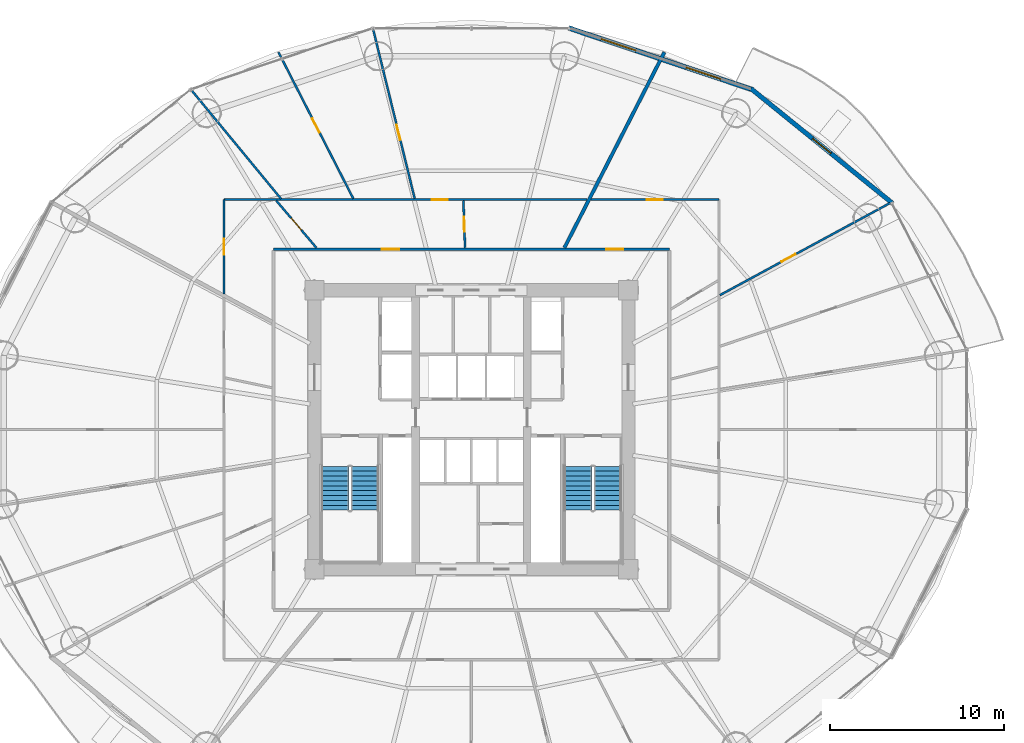
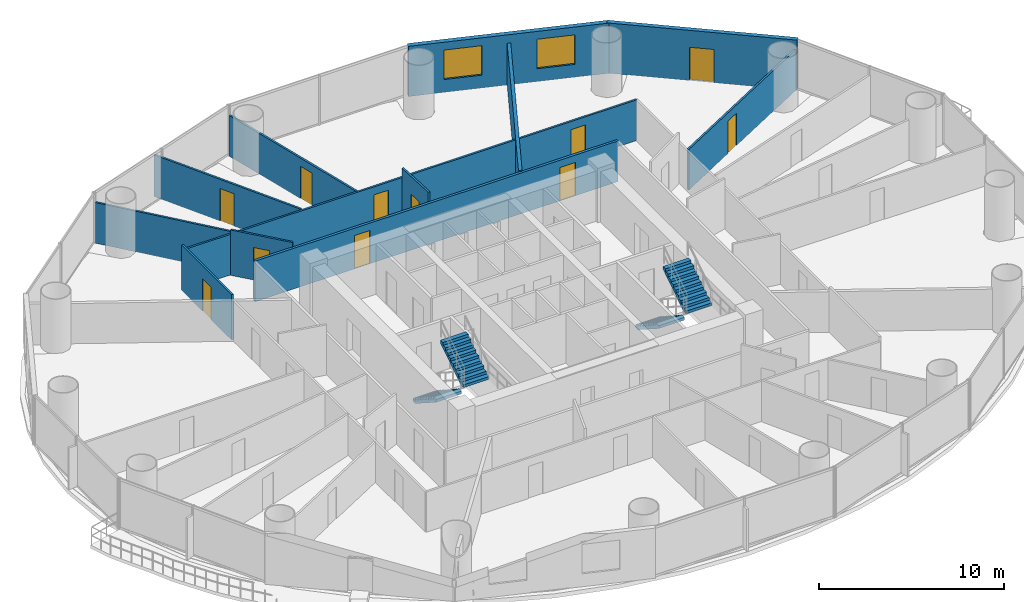
# One storey, part 25 of 29: 13 walls, 11 doors, 4 stair flights, 2 windows, 13 openings, 2 elements without a shape of their own.
"""IFC4 building model written with IfcOpenShell, lengths in metres."""

from ifc_helpers import new_model, si_unit, direction, frame, frame_2d, origin, place, context, subcontext, project, spatial, polyline, rectangle, outline, extrude, source, transform, mapped, material, layer, layer_set, type_object, element, fill, aggregate, save


model = new_model("IFC4")

# Units and contexts
model_context = context("Model", 3, precision=1e-05, world=origin(), true_north=direction((-0.2419218956, 0.970295726276)))
body_context = subcontext(model_context, "Body", "Model", "MODEL_VIEW")
ifc_project = project(units=[si_unit("LENGTHUNIT", "METRE"), si_unit("AREAUNIT", "SQUARE_METRE"), si_unit("VOLUMEUNIT", "CUBIC_METRE"), si_unit("PLANEANGLEUNIT", "RADIAN"), si_unit("MASSUNIT", "GRAM", prefix="KILO")], contexts=[model_context])

# Site, building, storey
site_placement = place(None, origin())
site = spatial("IfcSite", under=ifc_project, at=site_placement, CompositionType="ELEMENT")
building_placement = place(site_placement, origin())
building = spatial("IfcBuilding", under=site, at=building_placement, Name="Cobrevalo Terracotta Tower", CompositionType="ELEMENT")
storey_placement = place(building_placement, frame((0.0, 0.0, 49.199951171875)))
storey = spatial("IfcBuildingStorey", under=building, at=storey_placement, Name="L12", CompositionType="ELEMENT", Elevation=49.199951171875)

# Wall, openings, doors
ifc_material_1 = material(Name="Gypsum board on steel stud", Category="steel")
ifc_layer_1 = layer(ifc_material_1, 0.159912109375)
ifc_layer_set_1 = layer_set([ifc_layer_1], Name="Gypsum board on steel stud")
wall_type_1 = type_object("IfcWallType", Name="Fire-rated corridor acoustic partition wall 160 mm", PredefinedType="PARTITIONING", material=ifc_layer_set_1)
wall_1_placement = place(storey_placement, frame((26.64501953125, 37.155029296875, 0.0), z_axis=(0.0, 0.0, 1.0), x_axis=(1.0, 0.0, 0.0)))
wall_1 = element("IfcWall", 1, at=wall_1_placement, inside=storey, type_object=wall_type_1, Name="L12 interior partition IW-L12-COR-N", PredefinedType="PARTITIONING", context=body_context, shape_type="SweptSolid", body=[
    extrude(rectangle(XDim=22.7099609375, YDim=0.159912109375, at=frame_2d((11.35498046875, 0.0))), origin(), (0.0, 0.0, 1.0), 2.68798828125),
])
opening_1_placement = place(wall_1_placement, frame((19.075439453125, 0.0, 0.0)))
opening_1 = element("IfcOpeningElement", 2, at=opening_1_placement, cuts=wall_1, Name="Opening ID-05", PredefinedType="OPENING", context=body_context, shape_type="SweptSolid", body=[
    extrude(rectangle(XDim=0.97998046875, YDim=2.199951171875, at=frame_2d((0.489990234375, 1.10009765625))), frame((0.0, 0.08984375, 0.0), z_axis=(0.0, -1.0, 0.0), x_axis=(1.0, 0.0, 0.0)), (0.0, 0.0, 1.0), 0.179931640625),
])
opening_2_placement = place(wall_1_placement, frame((6.221435546875, 0.0, 0.0)))
opening_2 = element("IfcOpeningElement", 3, at=opening_2_placement, cuts=wall_1, Name="Opening ID-05", PredefinedType="OPENING", context=body_context, shape_type="SweptSolid", body=[
    extrude(rectangle(XDim=0.97998046875, YDim=2.199951171875, at=frame_2d((0.489990234375, 1.10009765625))), frame((0.0, 0.08984375, 0.0), z_axis=(0.0, -1.0, 0.0), x_axis=(1.0, 0.0, 0.0)), (0.0, 0.0, 1.0), 0.179931640625),
])
ifc_material_2 = material(Name="Solid hardwood timber", Category="wood")
door_type_1 = type_object("IfcDoorType", Name="Residence entrance fire-rated acoustic timber door 980x2200 EI 60", OperationType="NOTDEFINED", PredefinedType="DOOR", material=ifc_material_2)
shared_shape_1 = source(origin(), body_context, "Body", "SweptSolid", [
    extrude(rectangle(XDim=0.97998046875, YDim=2.199951171875, at=frame_2d((0.489990234375, 1.10009765625))), frame((0.0, 0.02490234375, 0.0), z_axis=(0.0, -1.0, 0.0), x_axis=(1.0, 0.0, 0.0)), (0.0, 0.0, 1.0), 0.050048828125),
])
door_1_placement = place(opening_1_placement, frame((0.97998046875, 0.0, 0.0), z_axis=(0.0, 0.0, 1.0), x_axis=(-1.0, 0.0, 0.0)))
door_1 = element("IfcDoor", 4, at=door_1_placement, inside=storey, type_object=door_type_1, Name="Flat L12A fire-rated apartment entrance door", OperationType="SINGLE_SWING_RIGHT", OverallHeight=2.199951171875, OverallWidth=0.97998046875, PredefinedType="DOOR", context=body_context, shape_type="MappedRepresentation", body=[
    mapped(shared_shape_1, transform((0.0, 0.0, 0.0), scale=1.0)),
])
fill(opening_1, door_1)
door_2_placement = place(opening_2_placement, origin())
door_2 = element("IfcDoor", 5, at=door_2_placement, inside=storey, type_object=door_type_1, Name="Flat L12B fire-rated apartment entrance door", OperationType="SINGLE_SWING_LEFT", OverallHeight=2.199951171875, OverallWidth=0.97998046875, PredefinedType="DOOR", context=body_context, shape_type="MappedRepresentation", body=[
    mapped(shared_shape_1, transform((0.0, 0.0, 0.0), scale=1.0)),
])
fill(opening_2, door_2)

# Wall
ifc_material_3 = material(Name="Autoclaved aerated concrete block", Category="concrete")
ifc_layer_2 = layer(ifc_material_3, 0.199951171875)
ifc_layer_set_2 = layer_set([ifc_layer_2], Name="Autoclaved aerated concrete block")
wall_type_2 = type_object("IfcWallType", Name="Fire-rated stair, shaft & demising masonry wall 200 mm", PredefinedType="PARTITIONING", material=ifc_layer_set_2)
wall_2_placement = place(storey_placement, frame((43.334716796875, 37.23681640625, 0.0), z_axis=(0.0, 0.0, 1.0), x_axis=(0.455148959499, 0.890415310216, 0.0)))
element("IfcWall", 6, at=wall_2_placement, inside=storey, type_object=wall_type_2, Name="L12 interior partition IW-L12-DEM-2", PredefinedType="PARTITIONING", context=body_context, shape_type="SweptSolid", body=[
    extrude(rectangle(XDim=12.598388671875, YDim=0.199951171875, at=frame_2d((6.29931640625, 0.0))), origin(), (0.0, 0.0, 1.0), 2.761962890625),
])

# Wall, openings, windows
ifc_layer_3 = layer(ifc_material_3, 0.280029296875)
ifc_layer_set_3 = layer_set([ifc_layer_3], Name="Autoclaved aerated concrete block")
wall_type_3 = type_object("IfcWallType", Name="Insulated tower spandrel & pier wall 280 mm with terracotta rainscreen", PredefinedType="SOLIDWALL", material=ifc_layer_set_3)
wall_3_placement = place(storey_placement, frame((54.170654296875, 46.2890625, 0.0), z_axis=(0.0, 0.0, 1.0), x_axis=(-0.948041258496, 0.318147406385, 0.0)))
wall_3 = element("IfcWall", 7, at=wall_3_placement, inside=storey, type_object=wall_type_3, Name="L12 terracotta rainscreen pier wall S03", PredefinedType="SOLIDWALL", context=body_context, shape_type="SweptSolid", body=[
    extrude(rectangle(XDim=11.17529296875, YDim=0.280029296875, at=frame_2d((5.587646484375, 0.0))), origin(), (0.0, 0.0, 1.0), 3.320068359375),
])
opening_3_placement = place(wall_3_placement, frame((1.96728515625, 0.0, 0.85009765625)))
opening_3 = element("IfcOpeningElement", 8, at=opening_3_placement, cuts=wall_3, Name="Opening WN-10", PredefinedType="OPENING", context=body_context, shape_type="SweptSolid", body=[
    extrude(rectangle(XDim=2.10009765625, YDim=1.949951171875, at=frame_2d((1.050048828125, 0.97509765625))), frame((0.0, 0.14990234375, 0.0), z_axis=(0.0, -1.0, 0.0), x_axis=(1.0, 0.0, 0.0)), (0.0, 0.0, 1.0), 0.300048828125),
])
opening_4_placement = place(wall_3_placement, frame((7.108154296875, 0.0, 0.85009765625)))
opening_4 = element("IfcOpeningElement", 9, at=opening_4_placement, cuts=wall_3, Name="Opening WN-10", PredefinedType="OPENING", context=body_context, shape_type="SweptSolid", body=[
    extrude(rectangle(XDim=2.10009765625, YDim=1.949951171875, at=frame_2d((1.050048828125, 0.97509765625))), frame((0.0, 0.14990234375, 0.0), z_axis=(0.0, -1.0, 0.0), x_axis=(1.0, 0.0, 0.0)), (0.0, 0.0, 1.0), 0.300048828125),
])
ifc_material_4 = material(Name="Solar-control low-E double glazing", Category="glass")
window_type = type_object("IfcWindowType", Name="Wide panoramic low-E aluminium window 2100x1950", PartitioningType="SINGLE_PANEL", PredefinedType="WINDOW", material=ifc_material_4)
shared_shape_2 = source(origin(), body_context, "Body", "SweptSolid", [
    extrude(rectangle(XDim=2.10009765625, YDim=1.949951171875, at=frame_2d((1.050048828125, 0.97509765625))), frame((0.0, 0.030029296875, 0.0), z_axis=(0.0, -1.0, 0.0), x_axis=(1.0, 0.0, 0.0)), (0.0, 0.0, 1.0), 0.06005859375),
])
window_1_placement = place(opening_3_placement, origin())
window_1 = element("IfcWindow", 10, at=window_1_placement, inside=storey, type_object=window_type, Name="L12 suite window S03A", OverallHeight=1.949951171875, OverallWidth=2.10009765625, PartitioningType="SINGLE_PANEL", PredefinedType="WINDOW", context=body_context, shape_type="MappedRepresentation", body=[
    mapped(shared_shape_2, transform((0.0, 0.0, 0.0), scale=1.0)),
])
fill(opening_3, window_1)
window_2_placement = place(opening_4_placement, origin())
window_2 = element("IfcWindow", 11, at=window_2_placement, inside=storey, type_object=window_type, Name="L12 suite window S03B", OverallHeight=1.949951171875, OverallWidth=2.10009765625, PartitioningType="SINGLE_PANEL", PredefinedType="WINDOW", context=body_context, shape_type="MappedRepresentation", body=[
    mapped(shared_shape_2, transform((0.0, 0.0, 0.0), scale=1.0)),
])
fill(opening_4, window_2)

# Wall, opening, door
ifc_layer_4 = layer(ifc_material_3, 0.260009765625)
ifc_layer_set_4 = layer_set([ifc_layer_4], Name="Autoclaved aerated concrete block")
wall_type_4 = type_object("IfcWallType", Name="Recessed balcony loggia insulated exterior wall 260 mm", PredefinedType="SOLIDWALL", material=ifc_layer_set_4)
wall_4_placement = place(storey_placement, frame((62.14990234375, 39.788818359375, 0.0), z_axis=(0.0, 0.0, 1.0), x_axis=(-0.777005352078, 0.62949398952, 0.0)))
wall_4 = element("IfcWall", 12, at=wall_4_placement, inside=storey, type_object=wall_type_4, Name="L12 balcony loggia wall S02", PredefinedType="SOLIDWALL", context=body_context, shape_type="SweptSolid", body=[
    extrude(rectangle(XDim=10.44677734375, YDim=0.260009765625, at=frame_2d((5.223388671875, 0.0))), origin(), (0.0, 0.0, 1.0), 3.320068359375),
])
opening_5_placement = place(wall_4_placement, frame((4.54833984375, 0.0, 0.0)))
opening_5 = element("IfcOpeningElement", 13, at=opening_5_placement, cuts=wall_4, Name="Opening ED-05", PredefinedType="OPENING", context=body_context, shape_type="SweptSolid", body=[
    extrude(rectangle(XDim=1.35009765625, YDim=2.199951171875, at=frame_2d((0.675048828125, 1.10009765625))), frame((0.0, 0.14013671875, 0.0), z_axis=(0.0, -1.0, 0.0), x_axis=(1.0, 0.0, 0.0)), (0.0, 0.0, 1.0), 0.280029296875),
])
ifc_material_5 = material(Name="Anodized aluminium and laminated glass", Category="aluminium")
door_type_2 = type_object("IfcDoorType", Name="Suite balcony acoustic glazed terrace door 1350x2200", OperationType="NOTDEFINED", PredefinedType="DOOR", material=ifc_material_5)
shared_shape_3 = source(origin(), body_context, "Body", "SweptSolid", [
    extrude(rectangle(XDim=1.35009765625, YDim=2.199951171875, at=frame_2d((0.675048828125, 1.10009765625))), frame((0.0, 0.02490234375, 0.0), z_axis=(0.0, -1.0, 0.0), x_axis=(1.0, 0.0, 0.0)), (0.0, 0.0, 1.0), 0.050048828125),
])
door_3_placement = place(opening_5_placement, frame((1.35009765625, 0.0, 0.0), z_axis=(0.0, 0.0, 1.0), x_axis=(-1.0, 0.0, 0.0)))
door_3 = element("IfcDoor", 14, at=door_3_placement, inside=storey, type_object=door_type_2, Name="L12 glazed balcony terrace door 1", OperationType="SINGLE_SWING_LEFT", OverallHeight=2.199951171875, OverallWidth=1.35009765625, PredefinedType="DOOR", context=body_context, shape_type="MappedRepresentation", body=[
    mapped(shared_shape_3, transform((0.0, 0.0, 0.0), scale=1.0)),
])
fill(opening_5, door_3)

ifc_layer_5 = layer(ifc_material_1, 0.1201171875)
ifc_layer_set_5 = layer_set([ifc_layer_5], Name="Gypsum board on steel stud")
wall_type_5 = type_object("IfcWallType", Name="Residential internal acoustic stud partition 120 mm", PredefinedType="PARTITIONING", material=ifc_layer_set_5)
wall_5_placement = place(storey_placement, frame((44.8466796875, 39.9951171875, 0.0), z_axis=(0.0, 0.0, 1.0), x_axis=(1.0, 0.0, 0.0)))
wall_5 = element("IfcWall", 15, at=wall_5_placement, inside=storey, type_object=wall_type_5, Name="L12 interior partition IW-L12-U1-RING0_0", PredefinedType="PARTITIONING", context=body_context, shape_type="SweptSolid", body=[
    extrude(rectangle(XDim=7.348388671875, YDim=0.1201171875, at=frame_2d((3.67431640625, 0.0))), origin(), (0.0, 0.0, 1.0), 2.68798828125),
])
opening_6_placement = place(wall_5_placement, frame((3.22412109375, 0.0, 0.0)))
opening_6 = element("IfcOpeningElement", 16, at=opening_6_placement, cuts=wall_5, Name="Opening ID-12", PredefinedType="OPENING", context=body_context, shape_type="SweptSolid", body=[
    extrude(rectangle(XDim=0.89990234375, YDim=2.14990234375, at=frame_2d((0.449951171875, 1.074951171875))), frame((0.0, 0.070068359375, 0.0), z_axis=(0.0, -1.0, 0.0), x_axis=(1.0, 0.0, 0.0)), (0.0, 0.0, 1.0), 0.14013671875),
])
ifc_material_6 = material(Name="Engineered timber", Category="wood")
door_type_3 = type_object("IfcDoorType", Name="Internal residence & suite timber door 900x2150", OperationType="NOTDEFINED", PredefinedType="DOOR", material=ifc_material_6)
shared_shape_4 = source(origin(), body_context, "Body", "SweptSolid", [
    extrude(rectangle(XDim=0.89990234375, YDim=2.14990234375, at=frame_2d((0.449951171875, 1.074951171875))), frame((0.0, 0.02490234375, 0.0), z_axis=(0.0, -1.0, 0.0), x_axis=(1.0, 0.0, 0.0)), (0.0, 0.0, 1.0), 0.050048828125),
])
door_4_placement = place(opening_6_placement, origin())
door_4 = element("IfcDoor", 17, at=door_4_placement, inside=storey, type_object=door_type_3, Name="Flat L12A Penthouse Family Lounge internal door", OperationType="SINGLE_SWING_RIGHT", OverallHeight=2.14990234375, OverallWidth=0.89990234375, PredefinedType="DOOR", context=body_context, shape_type="MappedRepresentation", body=[
    mapped(shared_shape_4, transform((0.0, 0.0, 0.0), scale=1.0)),
])
fill(opening_6, door_4)

wall_6_placement = place(storey_placement, frame((52.24951171875, 34.515380859375, 0.0), z_axis=(0.0, 0.0, 1.0), x_axis=(0.879370672984, 0.476137815654, 0.0)))
wall_6 = element("IfcWall", 18, at=wall_6_placement, inside=storey, type_object=wall_type_5, Name="L12 interior partition IW-L12-U1-ORAD3", PredefinedType="PARTITIONING", context=body_context, shape_type="SweptSolid", body=[
    extrude(rectangle(XDim=11.094482421875, YDim=0.1201171875, at=frame_2d((5.54736328125, 0.0))), origin(), (0.0, 0.0, 1.0), 2.68798828125),
])
opening_7_placement = place(wall_6_placement, frame((4.0341796875, 0.0, 0.0)))
opening_7 = element("IfcOpeningElement", 19, at=opening_7_placement, cuts=wall_6, Name="Opening ID-12", PredefinedType="OPENING", context=body_context, shape_type="SweptSolid", body=[
    extrude(rectangle(XDim=0.89990234375, YDim=2.14990234375, at=frame_2d((0.449951171875, 1.074951171875))), frame((0.0, 0.070068359375, 0.0), z_axis=(0.0, -1.0, 0.0), x_axis=(1.0, 0.0, 0.0)), (0.0, 0.0, 1.0), 0.14013671875),
])
door_5_placement = place(opening_7_placement, frame((0.89990234375, 0.0, 0.0), z_axis=(0.0, 0.0, 1.0), x_axis=(-1.0, 0.0, 0.0)))
door_5 = element("IfcDoor", 20, at=door_5_placement, inside=storey, type_object=door_type_3, Name="Flat L12A Principal Guest Bedroom internal door", OperationType="SINGLE_SWING_LEFT", OverallHeight=2.14990234375, OverallWidth=0.89990234375, PredefinedType="DOOR", context=body_context, shape_type="MappedRepresentation", body=[
    mapped(shared_shape_4, transform((0.0, 0.0, 0.0), scale=1.0)),
])
fill(opening_7, door_5)

wall_7_placement = place(storey_placement, frame((23.804931640625, 34.587890625, 0.0), z_axis=(0.0, 0.0, 1.0), x_axis=(0.0, 1.0, 0.0)))
wall_7 = element("IfcWall", 21, at=wall_7_placement, inside=storey, type_object=wall_type_5, Name="L12 interior partition IW-L12-U2-RING0_0", PredefinedType="PARTITIONING", context=body_context, shape_type="SweptSolid", body=[
    extrude(rectangle(XDim=5.4072265625, YDim=0.1201171875, at=frame_2d((2.70361328125, 0.0))), origin(), (0.0, 0.0, 1.0), 2.9990234375),
])
opening_8_placement = place(wall_7_placement, frame((2.25341796875, 0.0, 0.0)))
opening_8 = element("IfcOpeningElement", 22, at=opening_8_placement, cuts=wall_7, Name="Opening ID-12", PredefinedType="OPENING", context=body_context, shape_type="SweptSolid", body=[
    extrude(rectangle(XDim=0.89990234375, YDim=2.14990234375, at=frame_2d((0.449951171875, 1.074951171875))), frame((0.0, 0.070068359375, 0.0), z_axis=(0.0, -1.0, 0.0), x_axis=(1.0, 0.0, 0.0)), (0.0, 0.0, 1.0), 0.14013671875),
])
door_6_placement = place(opening_8_placement, origin())
door_6 = element("IfcDoor", 23, at=door_6_placement, inside=storey, type_object=door_type_3, Name="Flat L12B Penthouse Family Lounge internal door", OperationType="SINGLE_SWING_LEFT", OverallHeight=2.14990234375, OverallWidth=0.89990234375, PredefinedType="DOOR", context=body_context, shape_type="MappedRepresentation", body=[
    mapped(shared_shape_4, transform((0.0, 0.0, 0.0), scale=1.0)),
])
fill(opening_8, door_6)

wall_8_placement = place(storey_placement, frame((23.804931640625, 39.9951171875, 0.0), z_axis=(0.0, 0.0, 1.0), x_axis=(1.0, 0.0, 0.0)))
wall_8 = element("IfcWall", 24, at=wall_8_placement, inside=storey, type_object=wall_type_5, Name="L12 interior partition IW-L12-U2-RING1_0", PredefinedType="PARTITIONING", context=body_context, shape_type="SweptSolid", body=[
    extrude(rectangle(XDim=20.837890625, YDim=0.1201171875, at=frame_2d((10.4189453125, 0.0))), origin(), (0.0, 0.0, 1.0), 2.68798828125),
])
opening_9_placement = place(wall_8_placement, frame((11.93115234375, 0.0, 0.0)))
opening_9 = element("IfcOpeningElement", 25, at=opening_9_placement, cuts=wall_8, Name="Opening ID-12", PredefinedType="OPENING", context=body_context, shape_type="SweptSolid", body=[
    extrude(rectangle(XDim=0.89990234375, YDim=2.14990234375, at=frame_2d((0.449951171875, 1.074951171875))), frame((0.0, 0.070068359375, 0.0), z_axis=(0.0, -1.0, 0.0), x_axis=(1.0, 0.0, 0.0)), (0.0, 0.0, 1.0), 0.14013671875),
])
door_7_placement = place(opening_9_placement, origin())
door_7 = element("IfcDoor", 26, at=door_7_placement, inside=storey, type_object=door_type_3, Name="Flat L12B Penthouse Living and Dining Room internal door", OperationType="SINGLE_SWING_LEFT", OverallHeight=2.14990234375, OverallWidth=0.89990234375, PredefinedType="DOOR", context=body_context, shape_type="MappedRepresentation", body=[
    mapped(shared_shape_4, transform((0.0, 0.0, 0.0), scale=1.0)),
])
fill(opening_9, door_7)

wall_9_placement = place(storey_placement, frame((34.746337890625, 40.05517578125, 0.0), z_axis=(0.0, 0.0, 1.0), x_axis=(-0.238386209483, 0.971170435675, 0.0)))
wall_9 = element("IfcWall", 27, at=wall_9_placement, inside=storey, type_object=wall_type_5, Name="L12 interior partition IW-L12-U2-ORAD1", PredefinedType="PARTITIONING", context=body_context, shape_type="SweptSolid", body=[
    extrude(rectangle(XDim=9.97314453125, YDim=0.1201171875, at=frame_2d((4.986572265625, 0.0))), origin(), (0.0, 0.0, 1.0), 2.68798828125),
])
opening_10_placement = place(wall_9_placement, frame((3.46142578125, 0.0, 0.0)))
opening_10 = element("IfcOpeningElement", 28, at=opening_10_placement, cuts=wall_9, Name="Opening ID-12", PredefinedType="OPENING", context=body_context, shape_type="SweptSolid", body=[
    extrude(rectangle(XDim=0.89990234375, YDim=2.14990234375, at=frame_2d((0.449951171875, 1.074951171875))), frame((0.0, 0.070068359375, 0.0), z_axis=(0.0, -1.0, 0.0), x_axis=(1.0, 0.0, 0.0)), (0.0, 0.0, 1.0), 0.14013671875),
])
door_8_placement = place(opening_10_placement, origin())
door_8 = element("IfcDoor", 29, at=door_8_placement, inside=storey, type_object=door_type_3, Name="Flat L12B Master Bedroom internal door", OperationType="SINGLE_SWING_RIGHT", OverallHeight=2.14990234375, OverallWidth=0.89990234375, PredefinedType="DOOR", context=body_context, shape_type="MappedRepresentation", body=[
    mapped(shared_shape_4, transform((0.0, 0.0, 0.0), scale=1.0)),
])
fill(opening_10, door_8)

wall_10_placement = place(storey_placement, frame((31.22705078125, 40.05029296875, 0.0), z_axis=(0.0, 0.0, 1.0), x_axis=(-0.455142050367, 0.890418841887, 0.0)))
wall_10 = element("IfcWall", 30, at=wall_10_placement, inside=storey, type_object=wall_type_5, Name="L12 interior partition IW-L12-U2-ORAD2M1", PredefinedType="PARTITIONING", context=body_context, shape_type="SweptSolid", body=[
    extrude(rectangle(XDim=9.4384765625, YDim=0.1201171875, at=frame_2d((4.71923828125, 0.0))), origin(), (0.0, 0.0, 1.0), 2.761962890625),
])
opening_11_placement = place(wall_10_placement, frame((4.269287109375, 0.0, 0.0)))
opening_11 = element("IfcOpeningElement", 31, at=opening_11_placement, cuts=wall_10, Name="Opening ID-12", PredefinedType="OPENING", context=body_context, shape_type="SweptSolid", body=[
    extrude(rectangle(XDim=0.89990234375, YDim=2.14990234375, at=frame_2d((0.449951171875, 1.074951171875))), frame((0.0, 0.070068359375, 0.0), z_axis=(0.0, -1.0, 0.0), x_axis=(1.0, 0.0, 0.0)), (0.0, 0.0, 1.0), 0.14013671875),
])
door_9_placement = place(opening_11_placement, origin())
door_9 = element("IfcDoor", 32, at=door_9_placement, inside=storey, type_object=door_type_3, Name="Flat L12B Principal Guest Bedroom internal door", OperationType="SINGLE_SWING_LEFT", OverallHeight=2.14990234375, OverallWidth=0.89990234375, PredefinedType="DOOR", context=body_context, shape_type="MappedRepresentation", body=[
    mapped(shared_shape_4, transform((0.0, 0.0, 0.0), scale=1.0)),
])
fill(opening_11, door_9)

# Wall
wall_11_placement = place(storey_placement, frame((27.08056640625, 40.042724609375, 0.0), z_axis=(0.0, 0.0, 1.0), x_axis=(-0.636193310573, 0.771529695852, 0.0)))
element("IfcWall", 33, at=wall_11_placement, inside=storey, type_object=wall_type_5, Name="L12 interior partition IW-L12-U2-ORAD2", PredefinedType="PARTITIONING", context=body_context, shape_type="SweptSolid", body=[
    extrude(rectangle(XDim=8.0439453125, YDim=0.1201171875, at=frame_2d((4.02197265625, 0.0))), origin(), (0.0, 0.0, 1.0), 2.68798828125),
])

# Wall, opening, door
wall_12_placement = place(storey_placement, frame((37.634765625, 37.237060546875, 0.0), z_axis=(0.0, 0.0, 1.0), x_axis=(-0.03493293564, 0.999389658746, 0.0)))
wall_12 = element("IfcWall", 34, at=wall_12_placement, inside=storey, type_object=wall_type_5, Name="L12 interior partition IW-L12-U2-IRAD1", PredefinedType="PARTITIONING", context=body_context, shape_type="SweptSolid", body=[
    extrude(rectangle(XDim=2.69775390625, YDim=0.1201171875, at=frame_2d((1.348876953125, 0.0))), origin(), (0.0, 0.0, 1.0), 3.320068359375),
])
opening_12_placement = place(wall_12_placement, frame((0.918701171875, 0.0, 0.0)))
opening_12 = element("IfcOpeningElement", 35, at=opening_12_placement, cuts=wall_12, Name="Opening ID-19", PredefinedType="OPENING", context=body_context, shape_type="SweptSolid", body=[
    extrude(rectangle(XDim=0.860107421875, YDim=2.14990234375, at=frame_2d((0.43017578125, 1.074951171875))), frame((0.0, 0.070068359375, 0.0), z_axis=(0.0, -1.0, 0.0), x_axis=(1.0, 0.0, 0.0)), (0.0, 0.0, 1.0), 0.14013671875),
])
ifc_material_7 = material(Name="Moisture-sealed timber", Category="wood")
door_type_4 = type_object("IfcDoorType", Name="Suite bathroom internal timber door 860x2150", OperationType="NOTDEFINED", PredefinedType="DOOR", material=ifc_material_7)
shared_shape_5 = source(origin(), body_context, "Body", "SweptSolid", [
    extrude(rectangle(XDim=0.860107421875, YDim=2.14990234375, at=frame_2d((0.43017578125, 1.074951171875))), frame((0.0, 0.02490234375, 0.0), z_axis=(0.0, -1.0, 0.0), x_axis=(1.0, 0.0, 0.0)), (0.0, 0.0, 1.0), 0.050048828125),
])
door_10_placement = place(opening_12_placement, frame((0.860107421875, 0.0, 0.0), z_axis=(0.0, 0.0, 1.0), x_axis=(-1.0, 0.0, 0.0)))
door_10 = element("IfcDoor", 36, at=door_10_placement, inside=storey, type_object=door_type_4, Name="Flat L12B Primary Bathroom internal door", OperationType="SINGLE_SWING_RIGHT", OverallHeight=2.14990234375, OverallWidth=0.860107421875, PredefinedType="DOOR", context=body_context, shape_type="MappedRepresentation", body=[
    mapped(shared_shape_5, transform((0.0, 0.0, 0.0), scale=1.0)),
])
fill(opening_12, door_10)

wall_13_placement = place(storey_placement, frame((29.108154296875, 37.236572265625, 0.0), z_axis=(0.0, 0.0, 1.0), x_axis=(-0.648553247009, 0.761169288526, 0.0)))
wall_13 = element("IfcWall", 37, at=wall_13_placement, inside=storey, type_object=wall_type_5, Name="L12 interior partition IW-L12-U2-IRAD2", PredefinedType="PARTITIONING", context=body_context, shape_type="SweptSolid", body=[
    extrude(rectangle(XDim=3.561767578125, YDim=0.1201171875, at=frame_2d((1.78076171875, 0.0))), origin(), (0.0, 0.0, 1.0), 2.9990234375),
])
opening_13_placement = place(wall_13_placement, frame((1.330810546875, 0.0, 0.0)))
opening_13 = element("IfcOpeningElement", 38, at=opening_13_placement, cuts=wall_13, Name="Opening ID-12", PredefinedType="OPENING", context=body_context, shape_type="SweptSolid", body=[
    extrude(rectangle(XDim=0.89990234375, YDim=2.14990234375, at=frame_2d((0.449951171875, 1.074951171875))), frame((0.0, 0.070068359375, 0.0), z_axis=(0.0, -1.0, 0.0), x_axis=(1.0, 0.0, 0.0)), (0.0, 0.0, 1.0), 0.14013671875),
])
door_11_placement = place(opening_13_placement, origin())
door_11 = element("IfcDoor", 39, at=door_11_placement, inside=storey, type_object=door_type_3, Name="Flat L12B Kitchen internal door", OperationType="SINGLE_SWING_RIGHT", OverallHeight=2.14990234375, OverallWidth=0.89990234375, PredefinedType="DOOR", context=body_context, shape_type="MappedRepresentation", body=[
    mapped(shared_shape_4, transform((0.0, 0.0, 0.0), scale=1.0)),
])
fill(opening_13, door_11)

# Stair, stair flights
ifc_material_8 = material(Name="Concrete C50", Category="concrete")
stair_type = type_object("IfcStairType", Name="Core protected escape dogleg stair 1600", PredefinedType="HALF_TURN_STAIR", material=ifc_material_8)
stair_1_placement = place(storey_placement, origin())
stair_1 = element("IfcStair", 40, at=stair_1_placement, inside=storey, type_object=stair_type, Name="L12 Protected exit stair ST-1", PredefinedType="HALF_TURN_STAIR")
stair_flight_type = type_object("IfcStairFlightType", Name="Core protected escape dogleg stair 1600 flight", PredefinedType="STRAIGHT", material=ifc_material_8)
stair_flight_1_placement = place(storey_placement, frame((30.175048828125, 24.699951171875, 0.0), z_axis=(0.0, 0.0, 1.0), x_axis=(0.0, -1.0, 0.0)))
stair_flight_1 = element("IfcStairFlight", 41, at=stair_flight_1_placement, type_object=stair_flight_type, Name="ST-1 flight 1", NumberOfRisers=10, NumberOfTreads=9, PredefinedType="STRAIGHT", RiserHeight=0.18, TreadLength=0.28, context=body_context, shape_type="SweptSolid", body=[
    extrude(outline(polyline([(0.0, 0.0), (0.0, 0.179931640625), (0.280029296875, 0.179931640625), (0.280029296875, 0.360107421875), (0.56005859375, 0.360107421875), (0.56005859375, 0.5400390625), (0.840087890625, 0.5400390625), (0.840087890625, 0.719970703125), (1.1201171875, 0.719970703125), (1.1201171875, 0.89990234375), (1.39990234375, 0.89990234375), (1.39990234375, 1.080078125), (1.679931640625, 1.080078125), (1.679931640625, 1.260009765625), (1.9599609375, 1.260009765625), (1.9599609375, 1.43994140625), (2.239990234375, 1.43994140625), (2.239990234375, 1.6201171875), (2.52001953125, 1.6201171875), (2.52001953125, 1.800048828125), (2.52001953125, 1.429931640625), (0.295654296875, 0.0), (0.0, 0.0)])), frame((0.0, 0.800048828125, 0.0), z_axis=(0.0, -1.0, 0.0), x_axis=(1.0, 0.0, 0.0)), (0.0, 0.0, 1.0), 1.60009765625),
])
stair_flight_2_placement = place(storey_placement, frame((31.89501953125, 22.179931640625, 1.800048828125), z_axis=(0.0, 0.0, 1.0), x_axis=(0.0, 1.0, 0.0)))
stair_flight_2 = element("IfcStairFlight", 42, at=stair_flight_2_placement, type_object=stair_flight_type, Name="ST-1 flight 2", NumberOfRisers=10, NumberOfTreads=9, PredefinedType="STRAIGHT", RiserHeight=0.18, TreadLength=0.28, context=body_context, shape_type="SweptSolid", body=[
    extrude(outline(polyline([(0.0, 0.0), (0.0, 0.179931640625), (0.280029296875, 0.179931640625), (0.280029296875, 0.360107421875), (0.56005859375, 0.360107421875), (0.56005859375, 0.5400390625), (0.840087890625, 0.5400390625), (0.840087890625, 0.719970703125), (1.1201171875, 0.719970703125), (1.1201171875, 0.89990234375), (1.39990234375, 0.89990234375), (1.39990234375, 1.080078125), (1.679931640625, 1.080078125), (1.679931640625, 1.260009765625), (1.9599609375, 1.260009765625), (1.9599609375, 1.43994140625), (2.239990234375, 1.43994140625), (2.239990234375, 1.6201171875), (2.52001953125, 1.6201171875), (2.52001953125, 1.800048828125), (2.52001953125, 1.429931640625), (0.295654296875, 0.0), (0.0, 0.0)])), frame((0.0, 0.800048828125, 0.0), z_axis=(0.0, -1.0, 0.0), x_axis=(1.0, 0.0, 0.0)), (0.0, 0.0, 1.0), 1.60009765625),
])
aggregate(stair_1, [stair_flight_1, stair_flight_2])

stair_2_placement = place(storey_placement, origin())
stair_2 = element("IfcStair", 43, at=stair_2_placement, inside=storey, type_object=stair_type, Name="L12 Protected exit stair ST-2", PredefinedType="HALF_TURN_STAIR")
stair_flight_3_placement = place(storey_placement, frame((44.10498046875, 24.699951171875, 0.0), z_axis=(0.0, 0.0, 1.0), x_axis=(0.0, -1.0, 0.0)))
stair_flight_3 = element("IfcStairFlight", 44, at=stair_flight_3_placement, type_object=stair_flight_type, Name="ST-2 flight 1", NumberOfRisers=10, NumberOfTreads=9, PredefinedType="STRAIGHT", RiserHeight=0.18, TreadLength=0.28, context=body_context, shape_type="SweptSolid", body=[
    extrude(outline(polyline([(0.0, 0.0), (0.0, 0.179931640625), (0.280029296875, 0.179931640625), (0.280029296875, 0.360107421875), (0.56005859375, 0.360107421875), (0.56005859375, 0.5400390625), (0.840087890625, 0.5400390625), (0.840087890625, 0.719970703125), (1.1201171875, 0.719970703125), (1.1201171875, 0.89990234375), (1.39990234375, 0.89990234375), (1.39990234375, 1.080078125), (1.679931640625, 1.080078125), (1.679931640625, 1.260009765625), (1.9599609375, 1.260009765625), (1.9599609375, 1.43994140625), (2.239990234375, 1.43994140625), (2.239990234375, 1.6201171875), (2.52001953125, 1.6201171875), (2.52001953125, 1.800048828125), (2.52001953125, 1.429931640625), (0.295654296875, 0.0), (0.0, 0.0)])), frame((0.0, 0.800048828125, 0.0), z_axis=(0.0, -1.0, 0.0), x_axis=(1.0, 0.0, 0.0)), (0.0, 0.0, 1.0), 1.60009765625),
])
stair_flight_4_placement = place(storey_placement, frame((45.824951171875, 22.179931640625, 1.800048828125), z_axis=(0.0, 0.0, 1.0), x_axis=(0.0, 1.0, 0.0)))
stair_flight_4 = element("IfcStairFlight", 45, at=stair_flight_4_placement, type_object=stair_flight_type, Name="ST-2 flight 2", NumberOfRisers=10, NumberOfTreads=9, PredefinedType="STRAIGHT", RiserHeight=0.18, TreadLength=0.28, context=body_context, shape_type="SweptSolid", body=[
    extrude(outline(polyline([(0.0, 0.0), (0.0, 0.179931640625), (0.280029296875, 0.179931640625), (0.280029296875, 0.360107421875), (0.56005859375, 0.360107421875), (0.56005859375, 0.5400390625), (0.840087890625, 0.5400390625), (0.840087890625, 0.719970703125), (1.1201171875, 0.719970703125), (1.1201171875, 0.89990234375), (1.39990234375, 0.89990234375), (1.39990234375, 1.080078125), (1.679931640625, 1.080078125), (1.679931640625, 1.260009765625), (1.9599609375, 1.260009765625), (1.9599609375, 1.43994140625), (2.239990234375, 1.43994140625), (2.239990234375, 1.6201171875), (2.52001953125, 1.6201171875), (2.52001953125, 1.800048828125), (2.52001953125, 1.429931640625), (0.295654296875, 0.0), (0.0, 0.0)])), frame((0.0, 0.800048828125, 0.0), z_axis=(0.0, -1.0, 0.0), x_axis=(1.0, 0.0, 0.0)), (0.0, 0.0, 1.0), 1.60009765625),
])
aggregate(stair_2, [stair_flight_3, stair_flight_4])

save(model, "model.ifc")
